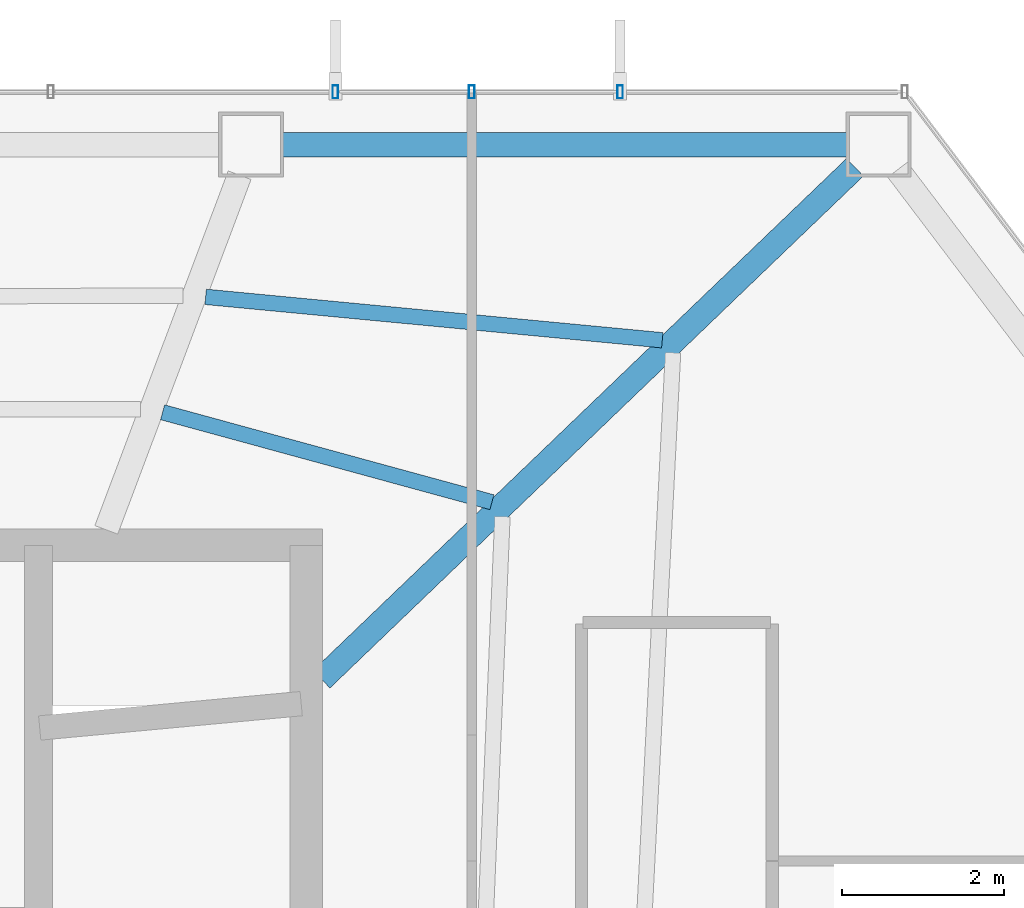
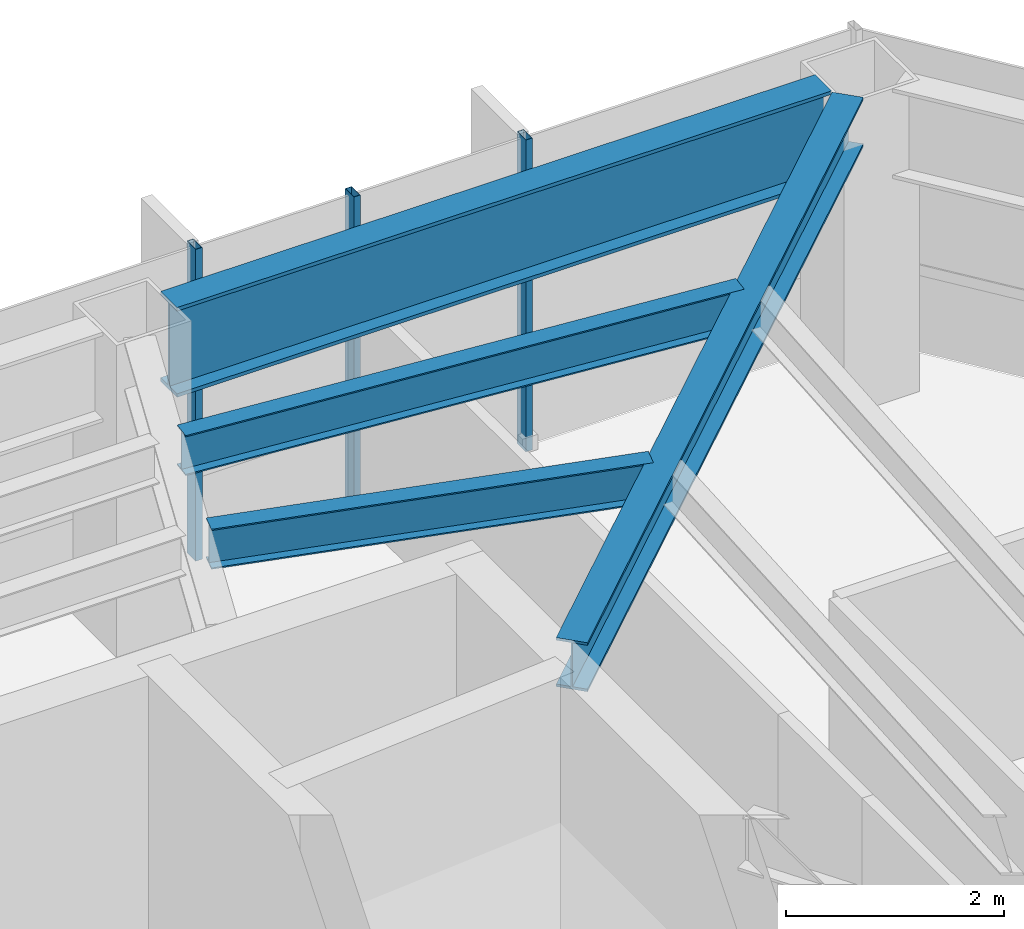
# One storey, part 22 of 28: 4 beams, 3 members, 1 element without a shape of its own.
"""IFC4 building model written with IfcOpenShell, lengths in metres."""

from ifc_helpers import new_model, si_unit, direction, frame, origin, origin_2d, place, context, subcontext, project, spatial, hollow_rectangle, i_section, extrude, material, layer, layer_set, material_profile, profile_set, type_object, element, aggregate, save


model = new_model("IFC4")

# Units and contexts
model_context = context("Model", 3, precision=1e-05, world=origin(), true_north=direction((0.0, 1.0)))
body_context = subcontext(model_context, "Body", "Model", "MODEL_VIEW")
ifc_project = project(units=[si_unit("LENGTHUNIT", "METRE"), si_unit("AREAUNIT", "SQUARE_METRE"), si_unit("VOLUMEUNIT", "CUBIC_METRE"), si_unit("PLANEANGLEUNIT", "RADIAN"), si_unit("MASSUNIT", "GRAM", prefix="KILO")], contexts=[model_context])

# Site, building, storey
site_placement = place(None, origin())
site = spatial("IfcSite", under=ifc_project, at=site_placement, CompositionType="ELEMENT")
building_placement = place(site_placement, origin())
building = spatial("IfcBuilding", under=site, at=building_placement, Name="Zarrinselat Tower", CompositionType="ELEMENT")
storey_placement = place(building_placement, frame((0.0, 0.0, 145.860107421875)))
storey = spatial("IfcBuildingStorey", under=building, at=storey_placement, Name="L35", CompositionType="ELEMENT", Elevation=145.860107421875)

# Beams
ifc_material_1 = material(Name="Steel S355J2", Category="steel")
ifc_material_profile_1 = material_profile(ifc_material_1, i_section(OverallWidth=0.300048828125, OverallDepth=0.550048828125, WebThickness=0.014892578125, FlangeThickness=0.029052734375, at=origin_2d()), Name="HEB 550")
ifc_profile_set_1 = profile_set([ifc_material_profile_1], Name="Steel S355J2")
beam_type_1 = type_object("IfcBeamType", Name="BM-HEB550", PredefinedType="BEAM", material=ifc_profile_set_1)
beam_1_placement = place(storey_placement, frame((48.449951171875, 41.800048828125, 3.224853515625), z_axis=(0.721502505311, 0.692411824588, 0.0), x_axis=(-0.692411824588, 0.721502505311, 0.0)))
element("IfcBeam", 1, at=beam_1_placement, inside=storey, type_object=beam_type_1, Name="L35 Radial Primary Girder RG01", PredefinedType="BEAM", context=body_context, shape_type="SweptSolid", body=[
    extrude(i_section(OverallWidth=0.300048828125, OverallDepth=0.550048828125, WebThickness=0.014892578125, FlangeThickness=0.029052734375, at=origin_2d()), origin(), (0.0, 0.0, 1.0), 9.105712890625),
])
ifc_material_2 = material(Name="Steel S460M", Category="steel")
ifc_material_profile_2 = material_profile(ifc_material_2, i_section(OverallWidth=0.302001953125, OverallDepth=1.008056640625, WebThickness=0.02099609375, FlangeThickness=0.0400390625, at=origin_2d()), Name="HEM 1000")
ifc_profile_set_2 = profile_set([ifc_material_profile_2], Name="Steel S460M")
beam_type_2 = type_object("IfcBeamType", Name="BM-HEM1000", PredefinedType="BEAM", material=ifc_profile_set_2)
beam_2_placement = place(storey_placement, frame((47.971435546875, 48.38330078125, 2.995849609375), z_axis=(1.0, 0.0, 0.0), x_axis=(0.0, 1.0, 0.0)))
element("IfcBeam", 2, at=beam_2_placement, inside=storey, type_object=beam_type_2, Name="L35 Perimeter Spandrel Girder SP01", PredefinedType="BEAM", context=body_context, shape_type="SweptSolid", body=[
    extrude(i_section(OverallWidth=0.302001953125, OverallDepth=1.008056640625, WebThickness=0.02099609375, FlangeThickness=0.0400390625, at=origin_2d()), origin(), (0.0, 0.0, 1.0), 6.9501953125),
])
ifc_material_3 = material(Name="Steel S355J2", Category="steel")
ifc_material_profile_3 = material_profile(ifc_material_3, i_section(OverallWidth=0.18994140625, OverallDepth=0.449951171875, WebThickness=0.009521484375, FlangeThickness=0.0146484375, at=origin_2d()), Name="IPE 450")
ifc_profile_set_3 = profile_set([ifc_material_profile_3], Name="Steel S355J2")
beam_type_3 = type_object("IfcBeamType", Name="BM-IPE450", PredefinedType="JOIST", material=ifc_profile_set_3)
beam_3_placement = place(storey_placement, frame((47.023193359375, 46.509033203125, 3.27490234375), z_axis=(0.995514295442, -0.09461124442, 0.0), x_axis=(0.09461124442, 0.995514295442, 0.0)))
element("IfcBeam", 3, at=beam_3_placement, inside=storey, type_object=beam_type_3, Name="L35 Composite Floor Joist 6-1", PredefinedType="JOIST", context=body_context, shape_type="SweptSolid", body=[
    extrude(i_section(OverallWidth=0.18994140625, OverallDepth=0.449951171875, WebThickness=0.009521484375, FlangeThickness=0.0146484375, at=origin_2d()), origin(), (0.0, 0.0, 1.0), 5.648681640625),
])
beam_4_placement = place(storey_placement, frame((46.493408203125, 45.087890625, 3.27490234375), z_axis=(0.964675309481, -0.263441734124, 0.0), x_axis=(0.263441734124, 0.964675309481, 0.0)))
element("IfcBeam", 4, at=beam_4_placement, inside=storey, type_object=beam_type_3, Name="L35 Composite Floor Joist 6-2", PredefinedType="JOIST", context=body_context, shape_type="SweptSolid", body=[
    extrude(i_section(OverallWidth=0.18994140625, OverallDepth=0.449951171875, WebThickness=0.009521484375, FlangeThickness=0.0146484375, at=origin_2d()), origin(), (0.0, 0.0, 1.0), 4.20361328125),
])

# Curtain wall, members
ifc_material_4 = material(Name="Extruded Aluminium Alloy EN AW-6063 T6", Category="aluminium")
ifc_layer = layer(ifc_material_4, 0.175048828125)
ifc_layer_set = layer_set([ifc_layer], Name="Extruded Aluminium Alloy EN AW-6063 T6")
curtain_wall_type = type_object("IfcCurtainWallType", Name="CWS-HTL", PredefinedType="NOTDEFINED", material=ifc_layer_set)
curtain_wall_placement = place(storey_placement, origin())
curtain_wall = element("IfcCurtainWall", 5, at=curtain_wall_placement, inside=storey, type_object=curtain_wall_type, Name="L35 Unitised Curtain Wall CW-L35-E01", PredefinedType="NOTDEFINED")
ifc_material_5 = material(Name="Extruded Aluminium Alloy EN AW-6063 T6", Category="aluminium")
ifc_material_profile_4 = material_profile(ifc_material_5, hollow_rectangle(XDim=0.070068359375, YDim=0.159912109375, WallThickness=0.00390625, at=origin_2d()), Name="RHS 160x70x4")
ifc_profile_set_4 = profile_set([ifc_material_profile_4], Name="Extruded Aluminium Alloy EN AW-6063 T6")
member_type = type_object("IfcMemberType", Name="MEM-CW-MUL2", PredefinedType="MULLION", material=ifc_profile_set_4)
member_1_placement = place(storey_placement, frame((52.126953125, 49.033203125, 0.0), z_axis=(0.0, 0.0, 1.0), x_axis=(-1.0, 0.0, 0.0)))
member_1 = element("IfcMember", 6, at=member_1_placement, type_object=member_type, Name="CW-L35-E01 Mullion 1", PredefinedType="MULLION", context=body_context, shape_type="SweptSolid", body=[
    extrude(hollow_rectangle(XDim=0.070068359375, YDim=0.159912109375, WallThickness=0.00390625, at=origin_2d()), origin(), (0.0, 0.0, 1.0), 3.5),
])
member_2_placement = place(storey_placement, frame((50.300048828125, 49.033203125, 0.0), z_axis=(0.0, 0.0, 1.0), x_axis=(-1.0, 0.0, 0.0)))
member_2 = element("IfcMember", 7, at=member_2_placement, type_object=member_type, Name="CW-L35-E01 Mullion 2", PredefinedType="MULLION", context=body_context, shape_type="SweptSolid", body=[
    extrude(hollow_rectangle(XDim=0.070068359375, YDim=0.159912109375, WallThickness=0.00390625, at=origin_2d()), origin(), (0.0, 0.0, 1.0), 3.5),
])
member_3_placement = place(storey_placement, frame((48.621337890625, 49.033203125, 0.0), z_axis=(0.0, 0.0, 1.0), x_axis=(-1.0, 0.0, 0.0)))
member_3 = element("IfcMember", 8, at=member_3_placement, type_object=member_type, Name="CW-L35-E01 Mullion 3", PredefinedType="MULLION", context=body_context, shape_type="SweptSolid", body=[
    extrude(hollow_rectangle(XDim=0.070068359375, YDim=0.159912109375, WallThickness=0.00390625, at=origin_2d()), origin(), (0.0, 0.0, 1.0), 3.5),
])
aggregate(curtain_wall, [member_1, member_2, member_3])

save(model, "model.ifc")
